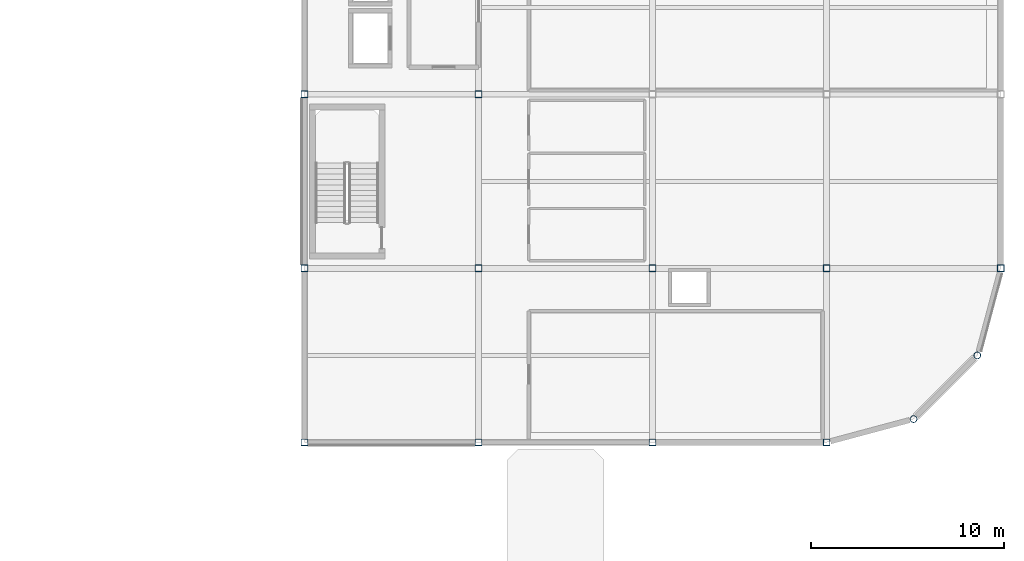
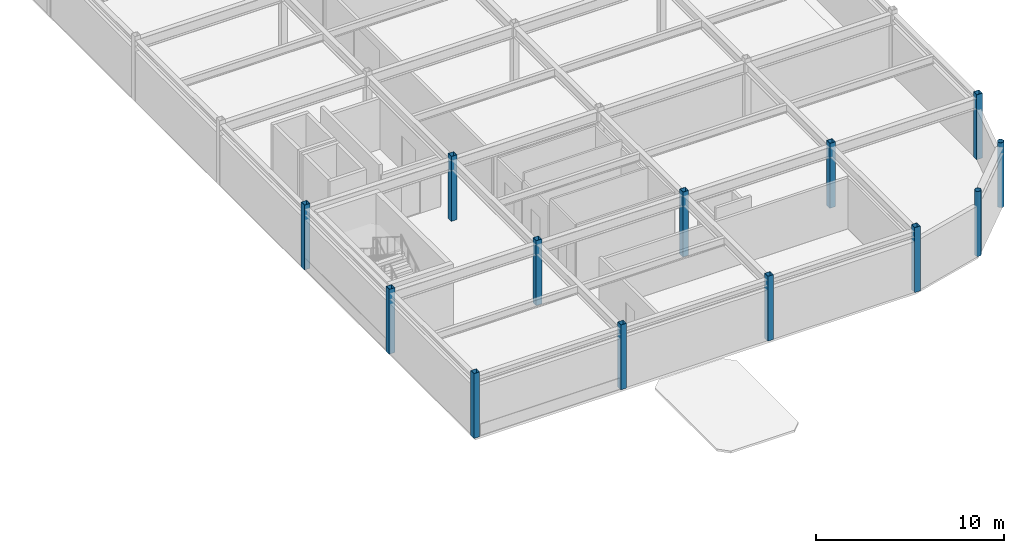
# One storey, part 5 of 40: 13 columns.
"""IFC4 building model written with IfcOpenShell, lengths in metres."""

from ifc_helpers import new_model, si_unit, direction, frame, origin, origin_2d, place, context, subcontext, project, spatial, hollow_rectangle, hollow_circle, extrude, material, material_profile, profile_set, type_object, element, save


model = new_model("IFC4")

# Units and contexts
model_context = context("Model", 3, precision=1e-05, world=origin(), true_north=direction((0.0, 1.0)))
body_context = subcontext(model_context, "Body", "Model", "MODEL_VIEW")
ifc_project = project(units=[si_unit("LENGTHUNIT", "METRE"), si_unit("AREAUNIT", "SQUARE_METRE"), si_unit("VOLUMEUNIT", "CUBIC_METRE"), si_unit("PLANEANGLEUNIT", "RADIAN"), si_unit("MASSUNIT", "GRAM", prefix="KILO")], contexts=[model_context])

# Site, building, storey
site_placement = place(None, origin())
site = spatial("IfcSite", under=ifc_project, at=site_placement, CompositionType="ELEMENT")
building_placement = place(site_placement, origin())
building = spatial("IfcBuilding", under=site, at=building_placement, Name="Suzunagisa Mobility Hub", CompositionType="ELEMENT")
storey_placement = place(building_placement, frame((0.0, 0.0, 21.89990234375)))
storey = spatial("IfcBuildingStorey", under=building, at=storey_placement, Name="L05", CompositionType="ELEMENT", Elevation=21.89990234375)

# Columns
ifc_material = material(Name="Steel SN490B", Category="steel")
ifc_material_profile_1 = material_profile(ifc_material, hollow_rectangle(XDim=0.35009765625, YDim=0.35009765625, WallThickness=0.01611328125, at=origin_2d()), Name="BCR-350x350x16")
ifc_profile_set_1 = profile_set([ifc_material_profile_1], Name="Steel SN490B")
column_type_1 = type_object("IfcColumnType", Name="Steel Column CL-04 BCR-350x350x16", PredefinedType="COLUMN", material=ifc_profile_set_1)
for number, where, z_axis, x_axis, name in (
    (1, (144.0, 44.0, 0.0), (0.0, 0.0, 1.0), (1.0, 0.0, 0.0), "L05 Column 256"),
    (2, (144.0, 53.0, 0.0), (0.0, 0.0, 1.0), (1.0, 0.0, 0.0), "L05 Column 257"),
    (3, (144.0, 62.0, 0.0), (0.0, 0.0, 1.0), (1.0, 0.0, 0.0), "L05 Column 258"),
    (4, (153.0, 44.0, 0.0), (0.0, 0.0, 1.0), (1.0, 0.0, 0.0), "L05 Column 269"),
    (5, (153.0, 53.0, 0.0), (0.0, 0.0, 1.0), (1.0, 0.0, 0.0), "L05 Column 270"),
    (6, (153.0, 62.0, 0.0), (0.0, 0.0, 1.0), (1.0, 0.0, 0.0), "L05 Column 271"),
    (7, (162.0, 44.0, 0.0), (0.0, 0.0, 1.0), (1.0, 0.0, 0.0), "L05 Column 288"),
    (8, (162.0, 53.0, 0.0), (0.0, 0.0, 1.0), (1.0, 0.0, 0.0), "L05 Column 289"),
    (9, (171.0, 44.0, 0.0), (0.0, 0.0, 1.0), (1.0, 0.0, 0.0), "L05 Column 301"),
    (10, (171.0, 53.0, 0.0), (0.0, 0.0, 1.0), (1.0, 0.0, 0.0), "L05 Column 302"),
    (11, (180.0, 53.0, 0.0), (0.0, 0.0, 1.0), (1.0, 0.0, 0.0), "L05 Column 326"),
):
    element("IfcColumn", number, at=place(storey_placement, frame(where, z_axis=z_axis, x_axis=x_axis)), inside=storey, type_object=column_type_1, Name=name, PredefinedType="COLUMN", context=body_context, shape_type="SweptSolid", body=[
        extrude(hollow_rectangle(XDim=0.35009765625, YDim=0.35009765625, WallThickness=0.01611328125, at=origin_2d()), origin(), (0.0, 0.0, 1.0), 4.2001953125),
    ])
ifc_material_profile_2 = material_profile(ifc_material, hollow_circle(Radius=0.177734375, WallThickness=0.0126953125, at=origin_2d()), Name="CHS-355.6x12.7")
ifc_profile_set_2 = profile_set([ifc_material_profile_2], Name="Steel SN490B")
column_type_2 = type_object("IfcColumnType", Name="Steel Column CL-18 CHS-355.6x12.7", PredefinedType="COLUMN", material=ifc_profile_set_2)
for number, where, z_axis, x_axis, name in (
    (12, (175.5, 45.205810546875, 0.0), (0.0, 0.0, 1.0), (1.0, 0.0, 0.0), "L05 Column 312"),
    (13, (178.794189453125, 48.5, 0.0), (0.0, 0.0, 1.0), (1.0, 0.0, 0.0), "L05 Column 318"),
):
    element("IfcColumn", number, at=place(storey_placement, frame(where, z_axis=z_axis, x_axis=x_axis)), inside=storey, type_object=column_type_2, Name=name, PredefinedType="COLUMN", context=body_context, shape_type="SweptSolid", body=[
        extrude(hollow_circle(Radius=0.177734375, WallThickness=0.0126953125, at=origin_2d()), origin(), (0.0, 0.0, 1.0), 4.2001953125),
    ])

save(model, "model.ifc")
